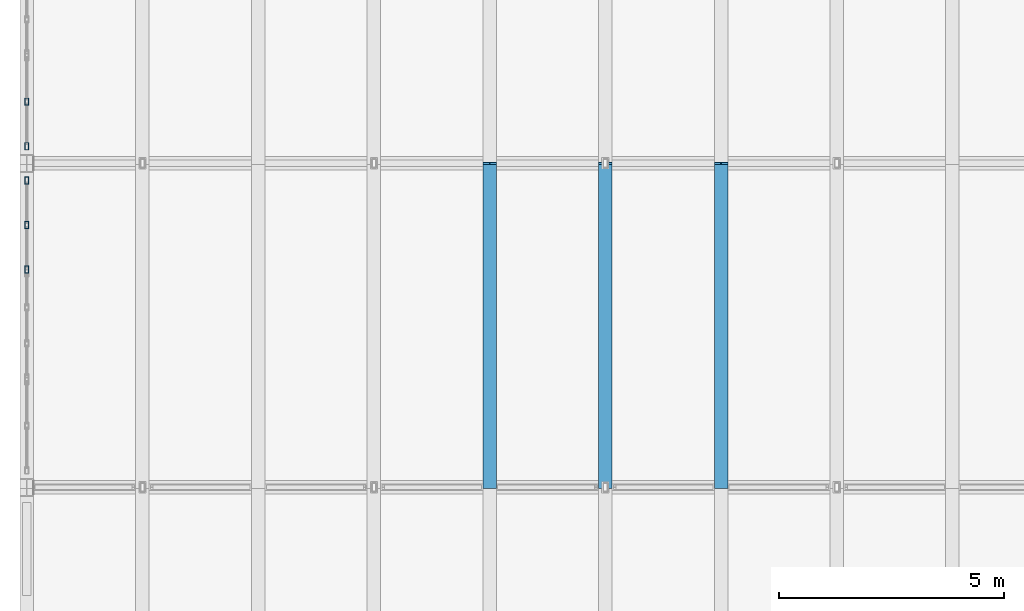
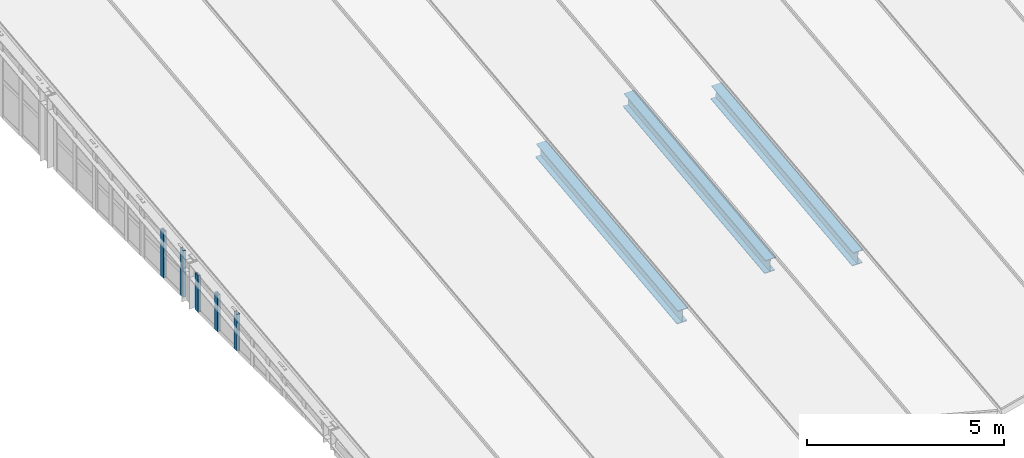
# One storey, part 2 of 39: 5 members, 3 beams, 2 elements without a shape of their own.
"""IFC4 building model written with IfcOpenShell, lengths in metres."""

import ifcopenshell
import ifcopenshell.guid

model = None  # the IFC model being written
_history = None  # IfcOwnerHistory: only IFC2X3 demands one
_inside = {}  # id of a spatial element -> (the spatial element, [elements in it])
_under = {}  # id of a project, library or spatial element -> (it, [spatial elements below it])
_declared = {}  # id of a project -> (the project, [libraries it declares])
_typed = {}  # id of a type object -> (the type object, [elements of that type])
_made_of = {}  # id of a material, layer set ... -> (it, [elements and type objects made of it])


def new_model(schema):
    """Start an empty IFC model of exactly this schema.

    Asked for "IFC4X3", IfcOpenShell would pick the latest addendum, in which some entities
    have other attributes; the version numbers below select the first issue.
    IFC2X3 requires an IfcOwnerHistory on every rooted entity: one is made here for all.
    """
    global model, _history
    if schema == "IFC4X3":
        model = ifcopenshell.file(schema_version=(4, 3, 0, 0))
    else:
        model = ifcopenshell.file(schema=schema)
    _inside.clear()
    _under.clear()
    _declared.clear()
    _typed.clear()
    _made_of.clear()
    _history = None
    if model.schema == "IFC2X3":
        org = make("IfcOrganization", Name="unknown")
        user = make(
            "IfcPersonAndOrganization",
            ThePerson=make("IfcPerson", FamilyName="unknown"),
            TheOrganization=org,
        )
        app = make(
            "IfcApplication",
            ApplicationDeveloper=org,
            Version="unknown",
            ApplicationFullName="unknown",
            ApplicationIdentifier="unknown",
        )
        _history = make(
            "IfcOwnerHistory",
            OwningUser=user,
            OwningApplication=app,
            ChangeAction="ADDED",
            CreationDate=0,
        )
    return model


def make(cls, **values):
    """One entity of the class cls with the attributes given. An attribute that is None is left unset."""
    return model.create_entity(
        cls, **{name: value for name, value in values.items() if value is not None}
    )


def rooted(cls, **values):
    """An entity with a GlobalId (a new one), such as an element, a storey or a relation."""
    return make(cls, GlobalId=ifcopenshell.guid.new(), OwnerHistory=_history, **values)


def si_unit(unit_type, name, prefix=None):
    """IfcSIUnit, for example si_unit("LENGTHUNIT", "METRE", prefix="MILLI")."""
    return make("IfcSIUnit", UnitType=unit_type, Prefix=prefix, Name=name)


def assignment(units):
    """IfcUnitAssignment: the units of a project."""
    return None if units is None else make("IfcUnitAssignment", Units=units)


def point(xyz):
    """IfcCartesianPoint."""
    return None if xyz is None else make("IfcCartesianPoint", Coordinates=xyz)


def direction(xyz):
    """IfcDirection."""
    return None if xyz is None else make("IfcDirection", DirectionRatios=xyz)


def frame(location, z_axis=None, x_axis=None):
    """IfcAxis2Placement3D, a coordinate frame: its origin and axes. An axis left out is left unset."""
    return make(
        "IfcAxis2Placement3D",
        Location=point(location),
        Axis=direction(z_axis),
        RefDirection=direction(x_axis),
    )


def frame_2d(location, x_axis=None):
    """IfcAxis2Placement2D, a coordinate frame in the plane: its origin and x axis."""
    return make(
        "IfcAxis2Placement2D", Location=point(location), RefDirection=direction(x_axis)
    )


def origin():
    """The frame at (0, 0, 0) with its axes left unset."""
    return frame((0.0, 0.0, 0.0))


def origin_2d():
    """The frame at (0, 0) in the plane with its x axis left unset."""
    return frame_2d((0.0, 0.0))


def place(relative_to, where):
    """IfcLocalPlacement: puts the frame where relative to a parent placement (None: the world)."""
    return make(
        "IfcLocalPlacement", PlacementRelTo=relative_to, RelativePlacement=where
    )


def context(
    kind, dimensions, precision=None, world=None, true_north=None, identifier=None
):
    """IfcGeometricRepresentationContext, for example the 3D "Model" context."""
    return make(
        "IfcGeometricRepresentationContext",
        ContextIdentifier=identifier,
        ContextType=kind,
        CoordinateSpaceDimension=dimensions,
        Precision=precision,
        WorldCoordinateSystem=world,
        TrueNorth=true_north,
    )


def subcontext(parent, identifier, kind, view, scale=None):
    """IfcGeometricRepresentationSubContext, for example "Body" below "Model"."""
    return make(
        "IfcGeometricRepresentationSubContext",
        ContextIdentifier=identifier,
        ContextType=kind,
        ParentContext=parent,
        TargetScale=scale,
        TargetView=view,
    )


def project(units=None, contexts=None):
    """IfcProject with its units and contexts."""
    return rooted(
        "IfcProject",
        Name="project",
        RepresentationContexts=contexts,
        UnitsInContext=assignment(units),
    )


def spatial(cls, under=None, at=None, **own):
    """A site, building, storey or space (cls), placed at a placement, below another one or the project."""
    s = rooted(cls, ObjectPlacement=at, **own)
    if under is not None:
        _under.setdefault(under.id(), (under, []))[1].append(s)
    return s


def profile(cls, at=None, kind="AREA", **sizes):
    """A parametric profile (cls). Its sizes go by their IFC names, for example OverallWidth=200.0."""
    return make(cls, ProfileType=kind, Position=at, **sizes)


def hollow_rectangle(**sizes):
    """IfcRectangleHollowProfileDef."""
    return profile("IfcRectangleHollowProfileDef", **sizes)


def i_section(**sizes):
    """IfcIShapeProfileDef."""
    return profile("IfcIShapeProfileDef", **sizes)


def extrude(swept, where, along, depth):
    """IfcExtrudedAreaSolid: the profile swept, set in the frame where, extruded along a direction by depth."""
    return make(
        "IfcExtrudedAreaSolid",
        SweptArea=swept,
        Position=where,
        ExtrudedDirection=direction(along),
        Depth=depth,
    )


def shape(context_of_items, identifier, shape_type, items):
    """IfcShapeRepresentation: the items that make up one representation, for example the "Body"."""
    return make(
        "IfcShapeRepresentation",
        ContextOfItems=context_of_items,
        RepresentationIdentifier=identifier,
        RepresentationType=shape_type,
        Items=items,
    )


def material(Name=None, Category=None):
    """IfcMaterial."""
    return make("IfcMaterial", Name=Name, Category=Category)


def layer(
    of_material, thickness, ventilated=None, Name=None, Category=None, Priority=None
):
    """IfcMaterialLayer: one layer of a wall or slab, of a material (None: an air gap)."""
    return make(
        "IfcMaterialLayer",
        Material=of_material,
        LayerThickness=thickness,
        IsVentilated=ventilated,
        Name=Name,
        Category=Category,
        Priority=Priority,
    )


def layer_set(layers, Name=None):
    """IfcMaterialLayerSet."""
    return make("IfcMaterialLayerSet", MaterialLayers=layers, LayerSetName=Name)


def material_profile(
    of_material, cross_section, Name=None, Category=None, Priority=None
):
    """IfcMaterialProfile: a cross section and its material."""
    return make(
        "IfcMaterialProfile",
        Name=Name,
        Material=of_material,
        Profile=cross_section,
        Priority=Priority,
        Category=Category,
    )


def profile_set(profiles, Name=None, composite=None):
    """IfcMaterialProfileSet."""
    return make(
        "IfcMaterialProfileSet",
        Name=Name,
        MaterialProfiles=profiles,
        CompositeProfile=composite,
    )


def made_of(thing, what):
    """Note that an element or type object is made of a material, layer set ...; save() writes the relation."""
    if what is not None:
        _made_of.setdefault(what.id(), (what, []))[1].append(thing)
    return thing


def type_object(cls, material=None, **own):
    """A type object (cls), such as IfcWallType, which elements share."""
    return made_of(rooted(cls, **own), material)


def element(
    cls,
    number,
    at=None,
    inside=None,
    cuts=None,
    type_object=None,
    material=None,
    context=None,
    identifier="Body",
    shape_type=None,
    held_by="IfcProductDefinitionShape",
    body=None,
    shapes=None,
    **own,
):
    """One element of the class cls, such as IfcWall. Its Tag is "e" and its number.

    at: its placement. inside: the storey or other place that contains it. cuts: it is an
    opening in that element (IfcRelVoidsElement). A single representation is given by context,
    identifier, shape_type and body (its items); several are given by shapes. held_by: the class
    of the entity that holds the representations. save() writes the other relations.
    """
    e = rooted(cls, Tag="e%d" % number, ObjectPlacement=at, **own)
    if body is not None:
        shapes = [shape(context, identifier, shape_type, body)]
    if shapes is not None:
        e.Representation = make(held_by, Representations=shapes)
    if inside is not None:
        _inside.setdefault(inside.id(), (inside, []))[1].append(e)
    if cuts is not None:
        rooted(
            "IfcRelVoidsElement", RelatingBuildingElement=cuts, RelatedOpeningElement=e
        )
    if type_object is not None:
        _typed.setdefault(type_object.id(), (type_object, []))[1].append(e)
    return made_of(e, material)


def aggregate(whole, parts):
    """IfcRelAggregates: a whole, such as a stair, and the parts it consists of."""
    return rooted("IfcRelAggregates", RelatingObject=whole, RelatedObjects=parts)


def save(model, path):
    """Write the relations noted so far, then the file.

    IfcRelAggregates (storeys below a building ...), IfcRelContainedInSpatialStructure (elements
    in a storey), IfcRelDefinesByType, IfcRelAssociatesMaterial and IfcRelDeclares: one each for
    every whole, place, type object, material and project.
    """
    for whole, parts in _under.values():
        aggregate(whole, parts)
    for where, things in _inside.values():
        rooted(
            "IfcRelContainedInSpatialStructure",
            RelatedElements=things,
            RelatingStructure=where,
        )
    for kind, things in _typed.values():
        rooted("IfcRelDefinesByType", RelatedObjects=things, RelatingType=kind)
    for what, things in _made_of.values():
        rooted("IfcRelAssociatesMaterial", RelatedObjects=things, RelatingMaterial=what)
    for by, libraries in _declared.values():
        rooted("IfcRelDeclares", RelatingContext=by, RelatedDefinitions=libraries)
    model.write(path)


model = new_model("IFC4")

# Units and contexts
model_context = context("Model", 3, precision=1e-05, world=origin(), true_north=direction((0.0, 1.0)))
body_context = subcontext(model_context, "Body", "Model", "MODEL_VIEW")
ifc_project = project(units=[si_unit("LENGTHUNIT", "METRE"), si_unit("AREAUNIT", "SQUARE_METRE"), si_unit("VOLUMEUNIT", "CUBIC_METRE"), si_unit("PLANEANGLEUNIT", "RADIAN"), si_unit("MASSUNIT", "GRAM", prefix="KILO"), si_unit("THERMODYNAMICTEMPERATUREUNIT", "KELVIN"), si_unit("POWERUNIT", "WATT")], contexts=[model_context])

# Site, building, storey
site_placement = place(None, origin())
site = spatial("IfcSite", under=ifc_project, at=site_placement, CompositionType="ELEMENT")
building_placement = place(site_placement, origin())
building = spatial("IfcBuilding", under=site, at=building_placement, Name="Kaldorven Railside Theatre", CompositionType="ELEMENT")
storey_placement = place(building_placement, frame((0.0, 0.0, 27.300048828125)))
storey = spatial("IfcBuildingStorey", under=building, at=storey_placement, Name="ROOF", CompositionType="ELEMENT", Elevation=27.300048828125)

# Beams
ifc_material_1 = material(Name="Steel S355", Category="steel")
ifc_material_profile_1 = material_profile(ifc_material_1, i_section(OverallWidth=0.300048828125, OverallDepth=0.449951171875, WebThickness=0.013916015625, FlangeThickness=0.02587890625, at=origin_2d()), Name="HEB 450")
ifc_profile_set_1 = profile_set([ifc_material_profile_1], Name="Steel S355")
beam_type = type_object("IfcBeamType", Name="BM-HEB450", PredefinedType="BEAM", material=ifc_profile_set_1)
for number, where, z_axis, x_axis, name in (
    (1, (97.485595703125, 91.199951171875, 0.385009765625), (0.0, 0.993575928723, 0.11316745938), (-1.0, 0.0, 0.0), "V2 Folded-Plate Valley Girder VB-116"),
    (2, (100.05712890625, 91.199951171875, 1.050048828125), (0.0, 0.993575928723, 0.11316745938), (-1.0, 0.0, 0.0), "V2 Folded-Plate Ridge Girder RB-120"),
    (3, (102.628662109375, 91.199951171875, 0.385009765625), (0.0, 0.993575928723, 0.11316745938), (-1.0, 0.0, 0.0), "V2 Folded-Plate Valley Girder VB-124"),
):
    element("IfcBeam", number, at=place(storey_placement, frame(where, z_axis=z_axis, x_axis=x_axis)), inside=storey, type_object=beam_type, Name=name, PredefinedType="BEAM", context=body_context, shape_type="SweptSolid", body=[
        extrude(i_section(OverallWidth=0.300048828125, OverallDepth=0.449951171875, WebThickness=0.013916015625, FlangeThickness=0.02587890625, at=origin_2d()), origin(), (0.0, 0.0, 1.0), 7.24658203125),
    ])

# Curtain wall, members
ifc_material_2 = material(Name="Low-E laminated solar-control glass", Category="glass")
ifc_layer_1 = layer(ifc_material_2, 0.159912109375, Name="Low-E laminated solar-control glass")
ifc_layer_set_1 = layer_set([ifc_layer_1], Name="Low-E laminated solar-control glass")
curtain_wall_type_1 = type_object("IfcCurtainWallType", Name="CWT-54", PredefinedType="USERDEFINED", material=ifc_layer_set_1)
curtain_wall_1_placement = place(storey_placement, origin())
curtain_wall_1 = element("IfcCurtainWall", 4, at=curtain_wall_1_placement, inside=storey, type_object=curtain_wall_type_1, Name="Fly-Tower West Crown Clerestory CWG-094", ObjectType="FLUTED GLAZING", PredefinedType="USERDEFINED")
ifc_material_3 = material(Name="Anodised bronze aluminium", Category="aluminium")
ifc_material_profile_2 = material_profile(ifc_material_3, hollow_rectangle(XDim=0.080078125, YDim=0.159912109375, WallThickness=0.00634765625, at=origin_2d()), Name="RHS 160x80x6.3")
ifc_profile_set_2 = profile_set([ifc_material_profile_2], Name="Anodised bronze aluminium")
member_type = type_object("IfcMemberType", Name="CWM-160", PredefinedType="MULLION", material=ifc_profile_set_2)
member_1_placement = place(storey_placement, frame((87.199951171875, 96.0400390625, 0.02001953125), z_axis=(0.0, 0.0, 1.0), x_axis=(-1.0, 0.0, 0.0)))
member_1 = element("IfcMember", 5, at=member_1_placement, type_object=member_type, Name="CWG-094 mullion 1", PredefinedType="MULLION", context=body_context, shape_type="SweptSolid", body=[
    extrude(hollow_rectangle(XDim=0.080078125, YDim=0.159912109375, WallThickness=0.00634765625, at=origin_2d()), origin(), (0.0, 0.0, 1.0), 1.139892578125),
])
member_2_placement = place(storey_placement, frame((87.199951171875, 97.030029296875, 0.02001953125), z_axis=(0.0, 0.0, 1.0), x_axis=(-1.0, 0.0, 0.0)))
member_2 = element("IfcMember", 6, at=member_2_placement, type_object=member_type, Name="CWG-094 mullion 2", PredefinedType="MULLION", context=body_context, shape_type="SweptSolid", body=[
    extrude(hollow_rectangle(XDim=0.080078125, YDim=0.159912109375, WallThickness=0.00634765625, at=origin_2d()), origin(), (0.0, 0.0, 1.0), 1.139892578125),
])
member_3_placement = place(storey_placement, frame((87.199951171875, 98.02001953125, 0.02001953125), z_axis=(0.0, 0.0, 1.0), x_axis=(-1.0, 0.0, 0.0)))
member_3 = element("IfcMember", 7, at=member_3_placement, type_object=member_type, Name="CWG-094 mullion 3", PredefinedType="MULLION", context=body_context, shape_type="SweptSolid", body=[
    extrude(hollow_rectangle(XDim=0.080078125, YDim=0.159912109375, WallThickness=0.00634765625, at=origin_2d()), origin(), (0.0, 0.0, 1.0), 1.139892578125),
])
aggregate(curtain_wall_1, [member_1, member_2, member_3])

ifc_layer_2 = layer(ifc_material_2, 0.159912109375, Name="Low-E laminated solar-control glass")
ifc_layer_set_2 = layer_set([ifc_layer_2], Name="Low-E laminated solar-control glass")
curtain_wall_type_2 = type_object("IfcCurtainWallType", Name="CWT-55", PredefinedType="USERDEFINED", material=ifc_layer_set_2)
curtain_wall_2_placement = place(storey_placement, origin())
curtain_wall_2 = element("IfcCurtainWall", 8, at=curtain_wall_2_placement, inside=storey, type_object=curtain_wall_type_2, Name="Fly-Tower West Crown Clerestory CWG-095", ObjectType="FLUTED GLAZING", PredefinedType="USERDEFINED")
member_4_placement = place(storey_placement, frame((87.199951171875, 98.780029296875, 0.02001953125), z_axis=(0.0, 0.0, 1.0), x_axis=(-1.0, 0.0, 0.0)))
member_4 = element("IfcMember", 9, at=member_4_placement, type_object=member_type, Name="CWG-095 mullion 1", PredefinedType="MULLION", context=body_context, shape_type="SweptSolid", body=[
    extrude(hollow_rectangle(XDim=0.080078125, YDim=0.159912109375, WallThickness=0.00634765625, at=origin_2d()), origin(), (0.0, 0.0, 1.0), 1.449951171875),
])
member_5_placement = place(storey_placement, frame((87.199951171875, 99.77001953125, 0.02001953125), z_axis=(0.0, 0.0, 1.0), x_axis=(-1.0, 0.0, 0.0)))
member_5 = element("IfcMember", 10, at=member_5_placement, type_object=member_type, Name="CWG-095 mullion 2", PredefinedType="MULLION", context=body_context, shape_type="SweptSolid", body=[
    extrude(hollow_rectangle(XDim=0.080078125, YDim=0.159912109375, WallThickness=0.00634765625, at=origin_2d()), origin(), (0.0, 0.0, 1.0), 1.449951171875),
])
aggregate(curtain_wall_2, [member_4, member_5])

save(model, "model.ifc")
